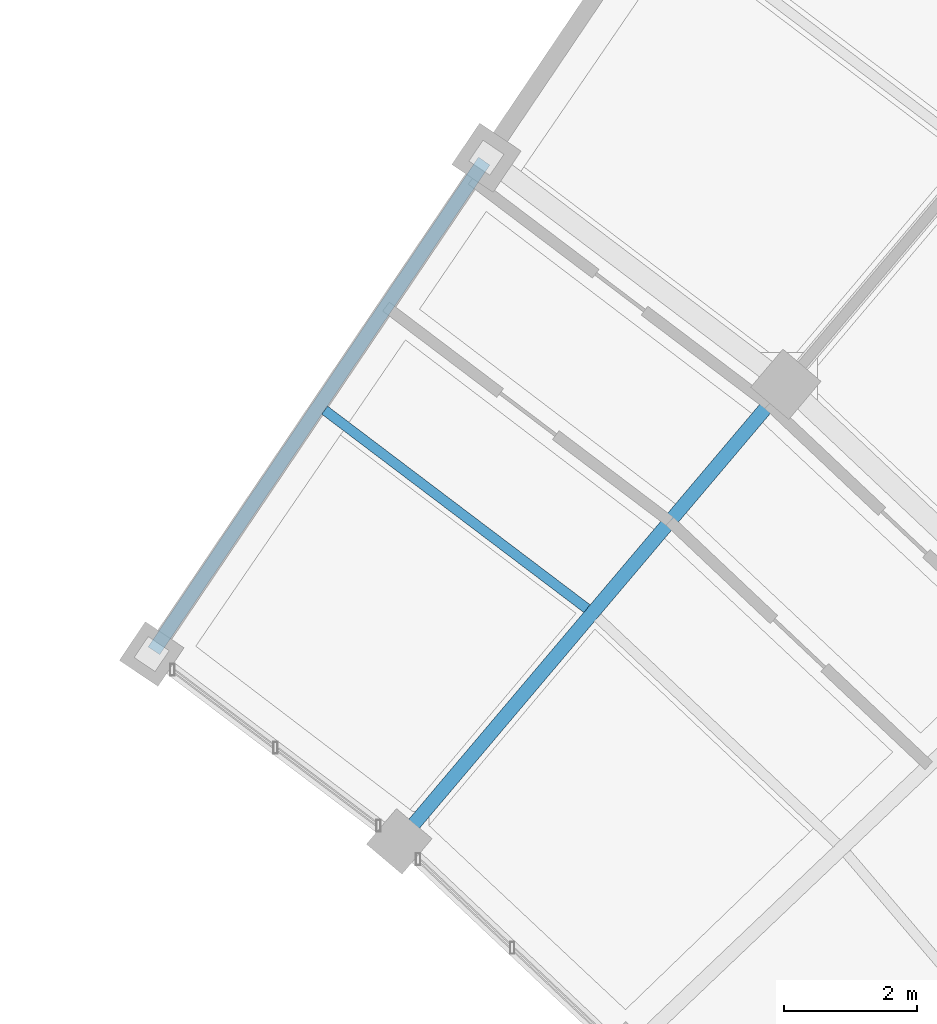
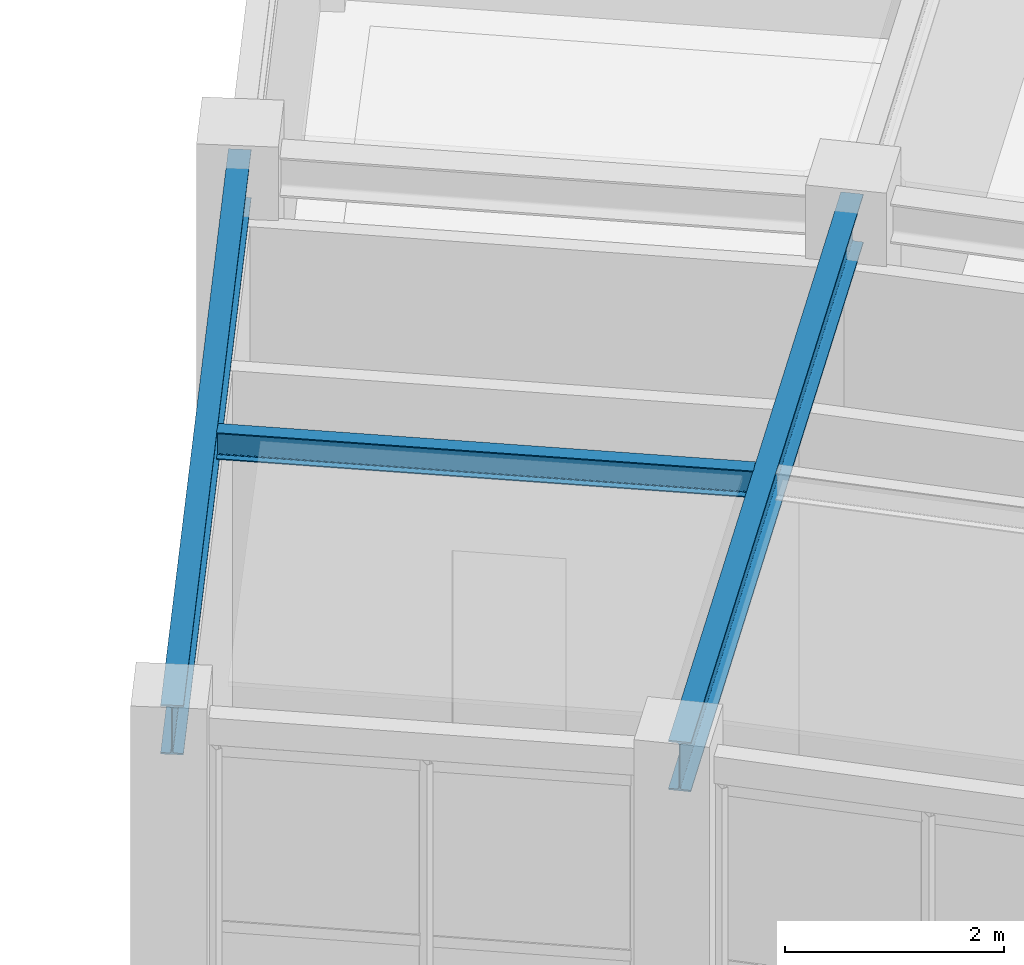
# One storey, part 64 of 100: 3 beams.
"""IFC4 building model written with IfcOpenShell, lengths in metres."""

from ifc_helpers import new_model, si_unit, direction, frame, origin, origin_2d, place, context, subcontext, project, spatial, i_section, extrude, material, material_profile, profile_set, type_object, element, save


model = new_model("IFC4")

# Units and contexts
model_context = context("Model", 3, precision=1e-05, world=origin(), true_north=direction((0.0, 1.0)))
body_context = subcontext(model_context, "Body", "Model", "MODEL_VIEW")
ifc_project = project(units=[si_unit("LENGTHUNIT", "METRE"), si_unit("AREAUNIT", "SQUARE_METRE"), si_unit("VOLUMEUNIT", "CUBIC_METRE"), si_unit("PLANEANGLEUNIT", "RADIAN"), si_unit("MASSUNIT", "GRAM", prefix="KILO")], contexts=[model_context])

# Site, building, storey
site_placement = place(None, origin())
site = spatial("IfcSite", under=ifc_project, at=site_placement, CompositionType="ELEMENT")
building_placement = place(site_placement, origin())
building = spatial("IfcBuilding", under=site, at=building_placement, Name="Tarnveldt Headland Concert Hall", CompositionType="ELEMENT")
storey_placement = place(building_placement, frame((0.0, 0.0, 4.800048828125)))
storey = spatial("IfcBuildingStorey", under=building, at=storey_placement, Name="L01", CompositionType="ELEMENT", Elevation=4.800048828125)

# Beams
ifc_material = material(Name="Steel S355", Category="steel")
ifc_material_profile_1 = material_profile(ifc_material, i_section(OverallWidth=0.14990234375, OverallDepth=0.300048828125, WebThickness=0.007080078125, FlangeThickness=0.0107421875, FilletRadius=0.014892578125, at=origin_2d()), Name="IPE300", Category="steel")
ifc_profile_set_1 = profile_set([ifc_material_profile_1], Name="Steel S355")
beam_type_1 = type_object("IfcBeamType", Name="SB-IPE300", PredefinedType="JOIST", material=ifc_profile_set_1)
beam_placement = place(storey_placement, frame((148.089599609375, 96.331787109375, 4.389892578125), z_axis=(-0.79746351777, 0.603367166679, 0.0), x_axis=(-0.603367166679, -0.79746351777, 0.0)))
element("IfcBeam", 1, at=beam_placement, inside=storey, type_object=beam_type_1, Name="Framing beam L01-859", PredefinedType="JOIST", context=body_context, shape_type="SweptSolid", body=[
    extrude(i_section(OverallWidth=0.14990234375, OverallDepth=0.300048828125, WebThickness=0.007080078125, FlangeThickness=0.0107421875, FilletRadius=0.014892578125, at=origin_2d()), origin(), (0.0, 0.0, 1.0), 4.94580078125),
])
ifc_material_profile_2 = material_profile(ifc_material, i_section(OverallWidth=0.2099609375, OverallDepth=0.550048828125, WebThickness=0.010986328125, FlangeThickness=0.01708984375, FilletRadius=0.02392578125, at=origin_2d()), Name="IPE550", Category="steel")
ifc_profile_set_2 = profile_set([ifc_material_profile_2], Name="Steel S355")
beam_type_2 = type_object("IfcBeamType", Name="SB-IPE550", PredefinedType="BEAM", material=ifc_profile_set_2)
for number, where, z_axis, x_axis, name in (
    (2, (145.30615234375, 92.87841796875, 4.264892578125), (0.645759819996, 0.763540604604, 0.0), (-0.763540604604, 0.645759819996, 0.0), "Framing beam L01-854"),
    (3, (141.578857421875, 95.6982421875, 4.264892578125), (0.559177704886, 0.829047823927, 0.0), (-0.829047823927, 0.559177704886, 0.0), "Framing beam L01-861"),
):
    element("IfcBeam", number, at=place(storey_placement, frame(where, z_axis=z_axis, x_axis=x_axis)), inside=storey, type_object=beam_type_2, Name=name, PredefinedType="BEAM", context=body_context, shape_type="SweptSolid", body=[
        extrude(i_section(OverallWidth=0.2099609375, OverallDepth=0.550048828125, WebThickness=0.010986328125, FlangeThickness=0.01708984375, FilletRadius=0.02392578125, at=origin_2d()), origin(), (0.0, 0.0, 1.0), 8.880126953125),
    ])

save(model, "model.ifc")
